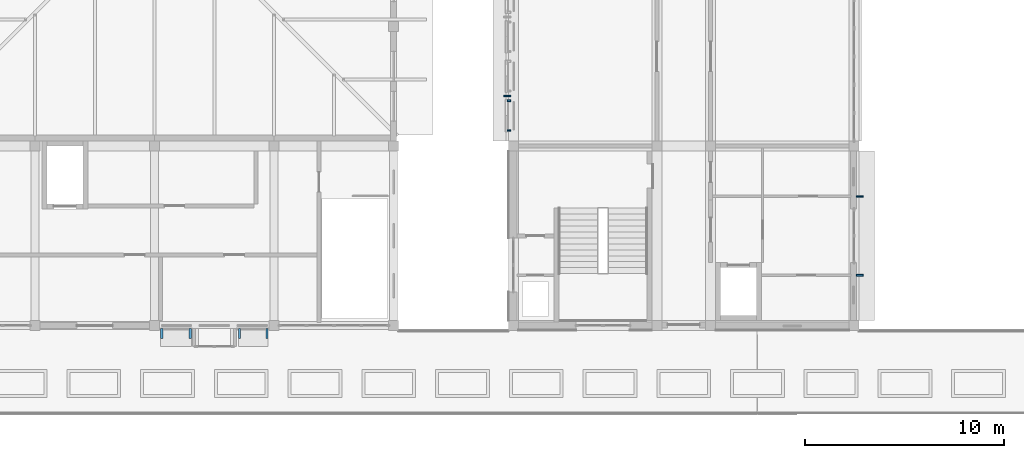
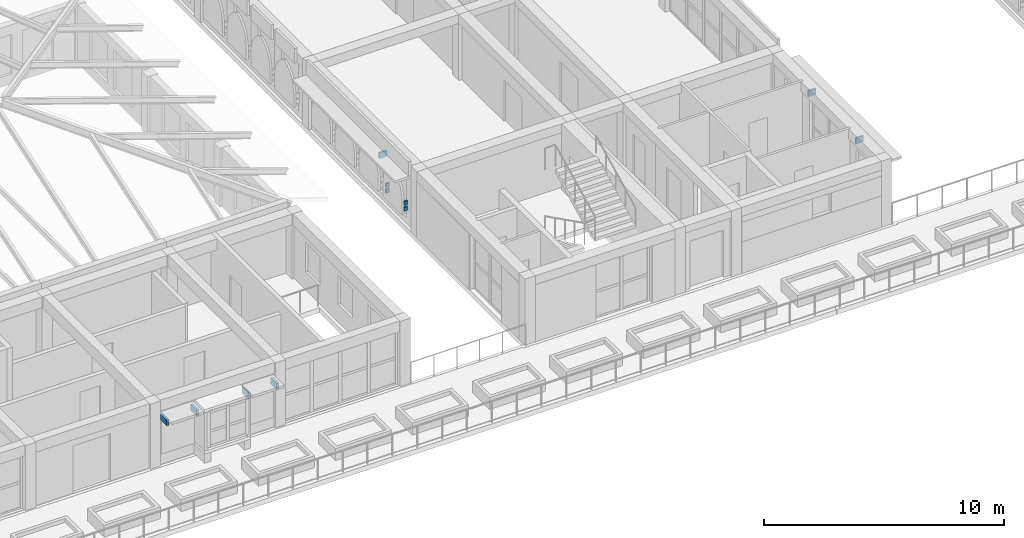
# One storey, part 61 of 82: 11 discrete accessories.
"""IFC4 building model written with IfcOpenShell, lengths in metres."""

from ifc_helpers import new_model, si_unit, direction, frame, origin, origin_2d, place, context, subcontext, project, spatial, rectangle, extrude, material, type_object, element, save


model = new_model("IFC4")

# Units and contexts
model_context = context("Model", 3, precision=1e-05, world=origin(), true_north=direction((0.0, 1.0)))
body_context = subcontext(model_context, "Body", "Model", "MODEL_VIEW")
ifc_project = project(units=[si_unit("LENGTHUNIT", "METRE"), si_unit("AREAUNIT", "SQUARE_METRE"), si_unit("VOLUMEUNIT", "CUBIC_METRE"), si_unit("PLANEANGLEUNIT", "RADIAN"), si_unit("MASSUNIT", "GRAM", prefix="KILO")], contexts=[model_context])

# Site, building, storey
site_placement = place(None, origin())
site = spatial("IfcSite", under=ifc_project, at=site_placement, CompositionType="ELEMENT")
building_placement = place(site_placement, origin())
building = spatial("IfcBuilding", under=site, at=building_placement, Name="Elbe Cascade School", CompositionType="ELEMENT")
storey_placement = place(building_placement, frame((0.0, 0.0, 4.5)))
storey = spatial("IfcBuildingStorey", under=building, at=storey_placement, Name="L01", CompositionType="ELEMENT", Elevation=4.5)

# Discrete accessories
ifc_material_1 = material(Name="Steel S355J2, hot-dip galvanised", Category="steel")
discrete_accessory_type_1 = type_object("IfcDiscreteAccessoryType", Name="Bars envelope Bracket, galvanised steel", PredefinedType="BRACKET", material=ifc_material_1)
discrete_accessory_placement = place(storey_placement, frame((68.705078125, 17.52001953125, 2.43017578125), z_axis=(0.0, 0.0, 1.0), x_axis=(0.0, 1.0, 0.0)))
element("IfcDiscreteAccessory", 1, at=discrete_accessory_placement, inside=storey, type_object=discrete_accessory_type_1, Name="Bracket AC7 eave.w.2.br1", PredefinedType="BRACKET", context=body_context, shape_type="SweptSolid", body=[
    extrude(rectangle(XDim=0.080078125, YDim=0.35009765625, at=origin_2d()), origin(), (0.0, 0.0, 1.0), 0.300048828125),
])
for number, where, z_axis, x_axis, name in (
    (2, (68.7900390625, 15.780029296875, 0.75), (0.0, 0.0, 1.0), (0.0, 1.0, 0.0), "Bracket AC7 jali.w.2.br1ll"),
    (3, (68.7900390625, 15.780029296875, 1.0400390625), (0.0, 0.0, 1.0), (0.0, 1.0, 0.0), "Bracket AC7 jali.w.2.br1lu"),
    (4, (68.7900390625, 17.280029296875, 0.75), (0.0, 0.0, 1.0), (0.0, 1.0, 0.0), "Bracket AC7 jali.w.2.br1rl"),
    (5, (68.7900390625, 17.280029296875, 1.0400390625), (0.0, 0.0, 1.0), (0.0, 1.0, 0.0), "Bracket AC7 jali.w.2.br1ru"),
):
    element("IfcDiscreteAccessory", number, at=place(storey_placement, frame(where, z_axis=z_axis, x_axis=x_axis)), inside=storey, type_object=discrete_accessory_type_1, Name=name, PredefinedType="BRACKET", context=body_context, shape_type="SweptSolid", body=[
        extrude(rectangle(XDim=0.080078125, YDim=0.179931640625, at=origin_2d()), origin(), (0.0, 0.0, 1.0), 0.199951171875),
    ])
for number, where, z_axis, x_axis, name in (
    (6, (86.39501953125, 8.52001953125, 2.43017578125), (0.0, 0.0, 1.0), (0.0, 1.0, 0.0), "Bracket AC7 eave.e.1.br1"),
    (7, (86.39501953125, 12.47998046875, 2.43017578125), (0.0, 0.0, 1.0), (0.0, 1.0, 0.0), "Bracket AC7 eave.e.1.br2"),
):
    element("IfcDiscreteAccessory", number, at=place(storey_placement, frame(where, z_axis=z_axis, x_axis=x_axis)), inside=storey, type_object=discrete_accessory_type_1, Name=name, PredefinedType="BRACKET", context=body_context, shape_type="SweptSolid", body=[
        extrude(rectangle(XDim=0.080078125, YDim=0.35009765625, at=origin_2d()), origin(), (0.0, 0.0, 1.0), 0.300048828125),
    ])
ifc_material_2 = material(Name="Precast concrete C30/37", Category="concrete")
discrete_accessory_type_2 = type_object("IfcDiscreteAccessoryType", Name="Cafe chhajja bracket", PredefinedType="BRACKET", material=ifc_material_2)
for number, where, z_axis, x_axis, name in (
    (8, (51.360107421875, 5.60009765625, 2.25), (0.0, 0.0, 1.0), (1.0, 0.0, 0.0), "Cafe chhajja bracket AC8"),
    (9, (52.7900390625, 5.60009765625, 2.25), (0.0, 0.0, 1.0), (1.0, 0.0, 0.0), "Cafe chhajja bracket AC8"),
    (10, (55.260009765625, 5.60009765625, 2.25), (0.0, 0.0, 1.0), (1.0, 0.0, 0.0), "Cafe chhajja bracket AC8"),
    (11, (56.639892578125, 5.60009765625, 2.25), (0.0, 0.0, 1.0), (1.0, 0.0, 0.0), "Cafe chhajja bracket AC8"),
):
    element("IfcDiscreteAccessory", number, at=place(storey_placement, frame(where, z_axis=z_axis, x_axis=x_axis)), inside=storey, type_object=discrete_accessory_type_2, Name=name, PredefinedType="BRACKET", context=body_context, shape_type="SweptSolid", body=[
        extrude(rectangle(XDim=0.1201171875, YDim=0.5, at=origin_2d()), origin(), (0.0, 0.0, 1.0), 0.300048828125),
    ])

save(model, "model.ifc")
